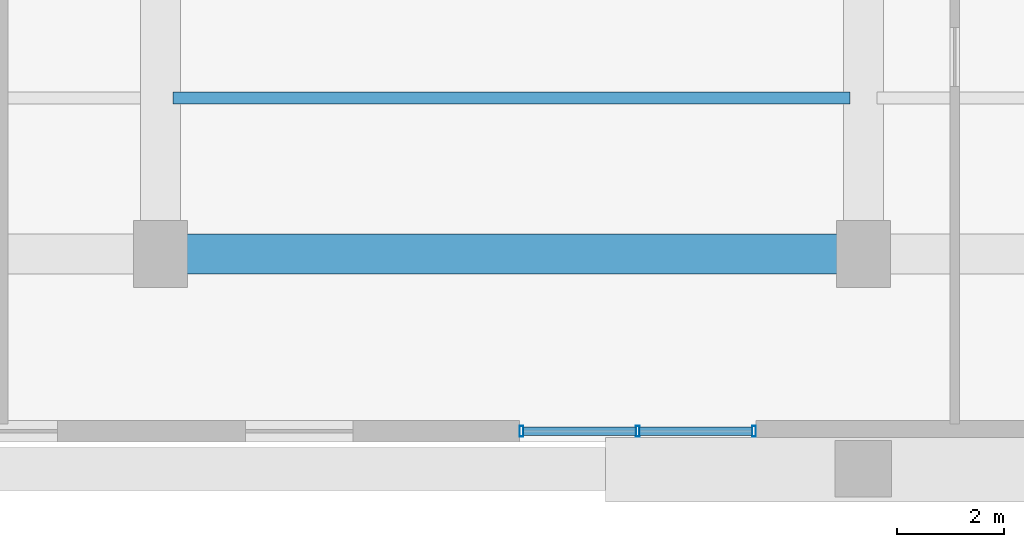
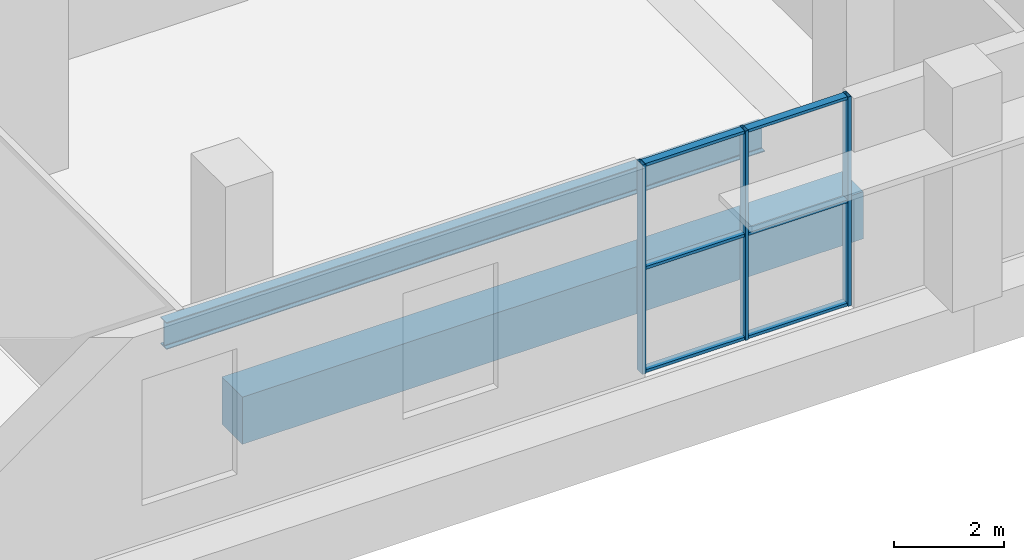
# One storey, part 2 of 15: 9 members, 2 beams, 1 element without a shape of its own.
"""IFC4 building model written with IfcOpenShell, lengths in metres."""

from ifc_helpers import new_model, si_unit, direction, frame, origin, origin_2d, place, context, subcontext, project, spatial, rectangle, hollow_rectangle, i_section, extrude, source, transform, mapped, material, layer, layer_set, material_profile, profile_set, type_object, element, aggregate, save


model = new_model("IFC4")

# Units and contexts
model_context = context("Model", 3, precision=1e-05, world=origin(), true_north=direction((0.0, 1.0)))
body_context = subcontext(model_context, "Body", "Model", "MODEL_VIEW")
ifc_project = project(units=[si_unit("LENGTHUNIT", "METRE"), si_unit("AREAUNIT", "SQUARE_METRE"), si_unit("VOLUMEUNIT", "CUBIC_METRE"), si_unit("PLANEANGLEUNIT", "RADIAN"), si_unit("MASSUNIT", "GRAM", prefix="KILO"), si_unit("THERMODYNAMICTEMPERATUREUNIT", "KELVIN")], contexts=[model_context])

# Site, building, storey
site_placement = place(None, origin())
site = spatial("IfcSite", under=ifc_project, at=site_placement, CompositionType="ELEMENT")
building_placement = place(site_placement, origin())
building = spatial("IfcBuilding", under=site, at=building_placement, Name="Kosmvard Interchange Tower", CompositionType="ELEMENT")
storey_placement = place(building_placement, frame((0.0, 0.0, 11.0)))
storey = spatial("IfcBuildingStorey", under=building, at=storey_placement, Name="L02", CompositionType="ELEMENT", Elevation=11.0)

# Beams
ifc_material_1 = material(Name="Steel S355", Category="steel")
ifc_material_profile_1 = material_profile(ifc_material_1, i_section(OverallWidth=0.219970703125, OverallDepth=0.60009765625, WebThickness=0.011962890625, FlangeThickness=0.01904296875, FilletRadius=0.02392578125, at=origin_2d()), Name="IPE 600")
ifc_profile_set_1 = profile_set([ifc_material_profile_1], Name="Steel S355")
beam_type_1 = type_object("IfcBeamType", Name="Long-Span Floor Joist IPE 600 S355", PredefinedType="JOIST", material=ifc_profile_set_1)
shared_shape_1 = source(origin(), body_context, "Body", "SweptSolid", [
    extrude(i_section(OverallWidth=0.219970703125, OverallDepth=0.60009765625, WebThickness=0.011962890625, FlangeThickness=0.01904296875, FilletRadius=0.02392578125, at=origin_2d()), origin(), (0.0, 0.0, 1.0), 12.60009765625),
])
beam_1_placement = place(storey_placement, frame((-12.85009765625, -18.60009765625, -0.639892578125), z_axis=(1.0, 0.0, 0.0), x_axis=(0.0, 1.0, 0.0)))
element("IfcBeam", 1, at=beam_1_placement, inside=storey, type_object=beam_type_1, Name="BM-L02-PJ02", PredefinedType="JOIST", context=body_context, shape_type="MappedRepresentation", body=[
    mapped(shared_shape_1, transform((0.0, 0.0, 0.0), scale=1.0)),
])
ifc_material_2 = material(Name="Concrete C60/75", Category="concrete")
ifc_material_profile_2 = material_profile(ifc_material_2, rectangle(XDim=0.75, YDim=1.050048828125, at=origin_2d()), Name="RCG 750x1050")
ifc_profile_set_2 = profile_set([ifc_material_profile_2], Name="Concrete C60/75")
beam_type_2 = type_object("IfcBeamType", Name="Concourse Mid-Span RC Girder 750x1050 C60/75", PredefinedType="BEAM", material=ifc_profile_set_2)
shared_shape_2 = source(origin(), body_context, "Body", "SweptSolid", [
    extrude(rectangle(XDim=0.75, YDim=1.050048828125, at=origin_2d()), origin(), (0.0, 0.0, 1.0), 13.0810546875),
])
beam_2_placement = place(storey_placement, frame((-13.0810546875, -21.5, -0.52490234375), z_axis=(1.0, 0.0, 0.0), x_axis=(0.0, 1.0, 0.0)))
element("IfcBeam", 2, at=beam_2_placement, inside=storey, type_object=beam_type_2, Name="BM-L02-PG-S2", PredefinedType="BEAM", context=body_context, shape_type="MappedRepresentation", body=[
    mapped(shared_shape_2, transform((0.0, 0.0, 0.0), scale=1.0)),
])

# Curtain wall, members
ifc_material_3 = material(Name="Architectural anodised aluminium", Category="aluminium")
ifc_layer = layer(ifc_material_3, 0.199951171875, Name="Architectural anodised aluminium")
ifc_layer_set = layer_set([ifc_layer], Name="Architectural anodised aluminium")
curtain_wall_type = type_object("IfcCurtainWallType", Name="CW-2 Cascade Terrace Hall Curtain Wall", PredefinedType="NOTDEFINED", material=ifc_layer_set)
curtain_wall_placement = place(storey_placement, origin())
curtain_wall = element("IfcCurtainWall", 3, at=curtain_wall_placement, inside=storey, type_object=curtain_wall_type, Name="L02 South Terrace Hall Curtain Wall", PredefinedType="NOTDEFINED")
ifc_material_profile_3 = material_profile(ifc_material_3, hollow_rectangle(XDim=0.199951171875, YDim=0.070068359375, WallThickness=0.0048828125, at=origin_2d()), Name="CWM 200x70x5")
ifc_profile_set_3 = profile_set([ifc_material_profile_3], Name="Architectural anodised aluminium")
member_type_1 = type_object("IfcMemberType", Name="Terrace CW Mullion 200x70 Aluminium", PredefinedType="MULLION", material=ifc_profile_set_3)
shared_shape_3 = source(origin(), body_context, "Body", "SweptSolid", [
    extrude(hollow_rectangle(XDim=0.199951171875, YDim=0.070068359375, WallThickness=0.0048828125, at=origin_2d()), origin(), (0.0, 0.0, 1.0), 4.659912109375),
])
member_1_placement = place(storey_placement, frame((-6.364990234375, -24.800048828125, 0.0), z_axis=(0.0, 0.0, 1.0), x_axis=(0.0, 1.0, 0.0)))
member_1 = element("IfcMember", 4, at=member_1_placement, type_object=member_type_1, Name="CW-2 mullion 1", PredefinedType="MULLION", context=body_context, shape_type="MappedRepresentation", body=[
    mapped(shared_shape_3, transform((0.0, 0.0, 0.0), scale=1.0)),
])
member_2_placement = place(storey_placement, frame((-4.199951171875, -24.800048828125, 0.0), z_axis=(0.0, 0.0, 1.0), x_axis=(0.0, 1.0, 0.0)))
member_2 = element("IfcMember", 5, at=member_2_placement, type_object=member_type_1, Name="CW-2 mullion 2", PredefinedType="MULLION", context=body_context, shape_type="MappedRepresentation", body=[
    mapped(shared_shape_3, transform((0.0, 0.0, 0.0), scale=1.0)),
])
member_3_placement = place(storey_placement, frame((-2.034912109375, -24.800048828125, 0.0), z_axis=(0.0, 0.0, 1.0), x_axis=(0.0, 1.0, 0.0)))
member_3 = element("IfcMember", 6, at=member_3_placement, type_object=member_type_1, Name="CW-2 mullion 3", PredefinedType="MULLION", context=body_context, shape_type="MappedRepresentation", body=[
    mapped(shared_shape_3, transform((0.0, 0.0, 0.0), scale=1.0)),
])
ifc_material_profile_4 = material_profile(ifc_material_3, hollow_rectangle(XDim=0.159912109375, YDim=0.06494140625, WallThickness=0.00390625, at=origin_2d()), Name="CWT 160x65x4")
ifc_profile_set_4 = profile_set([ifc_material_profile_4], Name="Architectural anodised aluminium")
member_type_2 = type_object("IfcMemberType", Name="Standard CW Transom 160x65 Aluminium", PredefinedType="USERDEFINED", material=ifc_profile_set_4)
shared_shape_4 = source(origin(), body_context, "Body", "SweptSolid", [
    extrude(hollow_rectangle(XDim=0.159912109375, YDim=0.06494140625, WallThickness=0.00390625, at=origin_2d()), origin(), (0.0, 0.0, 1.0), 2.094970703125),
])
member_4_placement = place(storey_placement, frame((-6.330078125, -24.800048828125, 0.032470703125), z_axis=(1.0, 0.0, 0.0), x_axis=(0.0, 1.0, 0.0)))
member_4 = element("IfcMember", 7, at=member_4_placement, type_object=member_type_2, Name="CW-2 transom 1.1", ObjectType="TRANSOM", PredefinedType="USERDEFINED", context=body_context, shape_type="MappedRepresentation", body=[
    mapped(shared_shape_4, transform((0.0, 0.0, 0.0), scale=1.0)),
])
member_5_placement = place(storey_placement, frame((-6.330078125, -24.800048828125, 2.330078125), z_axis=(1.0, 0.0, 0.0), x_axis=(0.0, 1.0, 0.0)))
member_5 = element("IfcMember", 8, at=member_5_placement, type_object=member_type_2, Name="CW-2 transom 1.2", ObjectType="TRANSOM", PredefinedType="USERDEFINED", context=body_context, shape_type="MappedRepresentation", body=[
    mapped(shared_shape_4, transform((0.0, 0.0, 0.0), scale=1.0)),
])
member_6_placement = place(storey_placement, frame((-6.330078125, -24.800048828125, 4.62744140625), z_axis=(1.0, 0.0, 0.0), x_axis=(0.0, 1.0, 0.0)))
member_6 = element("IfcMember", 9, at=member_6_placement, type_object=member_type_2, Name="CW-2 transom 1.3", ObjectType="TRANSOM", PredefinedType="USERDEFINED", context=body_context, shape_type="MappedRepresentation", body=[
    mapped(shared_shape_4, transform((0.0, 0.0, 0.0), scale=1.0)),
])
member_7_placement = place(storey_placement, frame((-4.1650390625, -24.800048828125, 0.032470703125), z_axis=(1.0, 0.0, 0.0), x_axis=(0.0, 1.0, 0.0)))
member_7 = element("IfcMember", 10, at=member_7_placement, type_object=member_type_2, Name="CW-2 transom 2.1", ObjectType="TRANSOM", PredefinedType="USERDEFINED", context=body_context, shape_type="MappedRepresentation", body=[
    mapped(shared_shape_4, transform((0.0, 0.0, 0.0), scale=1.0)),
])
member_8_placement = place(storey_placement, frame((-4.1650390625, -24.800048828125, 2.330078125), z_axis=(1.0, 0.0, 0.0), x_axis=(0.0, 1.0, 0.0)))
member_8 = element("IfcMember", 11, at=member_8_placement, type_object=member_type_2, Name="CW-2 transom 2.2", ObjectType="TRANSOM", PredefinedType="USERDEFINED", context=body_context, shape_type="MappedRepresentation", body=[
    mapped(shared_shape_4, transform((0.0, 0.0, 0.0), scale=1.0)),
])
member_9_placement = place(storey_placement, frame((-4.1650390625, -24.800048828125, 4.62744140625), z_axis=(1.0, 0.0, 0.0), x_axis=(0.0, 1.0, 0.0)))
member_9 = element("IfcMember", 12, at=member_9_placement, type_object=member_type_2, Name="CW-2 transom 2.3", ObjectType="TRANSOM", PredefinedType="USERDEFINED", context=body_context, shape_type="MappedRepresentation", body=[
    mapped(shared_shape_4, transform((0.0, 0.0, 0.0), scale=1.0)),
])
aggregate(curtain_wall, [member_1, member_2, member_3, member_4, member_5, member_6, member_7, member_8, member_9])

save(model, "model.ifc")
